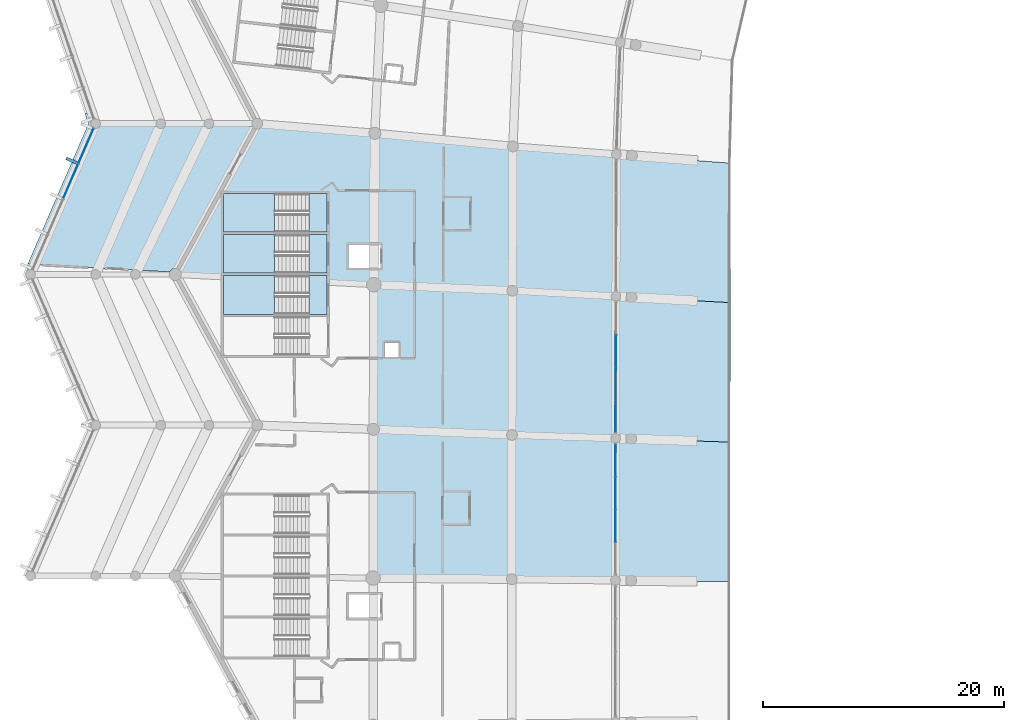
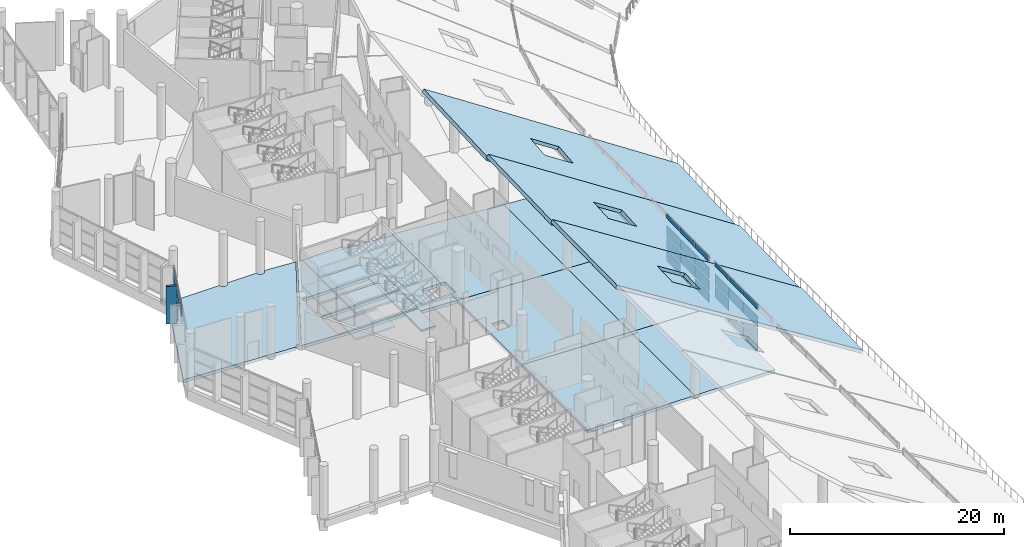
# One storey, part 118 of 249: 29 plates, 23 slabs, 6 elements without a shape of their own.
"""IFC4 building model written with IfcOpenShell, lengths in metres."""

from ifc_helpers import new_model, si_unit, direction, frame, origin, origin_2d, place, context, subcontext, project, spatial, polyline, rectangle, outline, extrude, material, layer, layer_set, type_object, element, aggregate, save


model = new_model("IFC4")

# Units and contexts
model_context = context("Model", 3, precision=1e-05, world=origin(), true_north=direction((0.0, 1.0)))
body_context = subcontext(model_context, "Body", "Model", "MODEL_VIEW")
ifc_project = project(units=[si_unit("LENGTHUNIT", "METRE"), si_unit("AREAUNIT", "SQUARE_METRE"), si_unit("VOLUMEUNIT", "CUBIC_METRE"), si_unit("PLANEANGLEUNIT", "RADIAN"), si_unit("MASSUNIT", "GRAM", prefix="KILO")], contexts=[model_context])

# Site, building, storey
site_placement = place(None, origin())
site = spatial("IfcSite", under=ifc_project, at=site_placement, CompositionType="ELEMENT")
building_placement = place(site_placement, origin())
building = spatial("IfcBuilding", under=site, at=building_placement, Name="Meseta Stadium", CompositionType="ELEMENT")
storey_placement = place(building_placement, frame((0.0, 0.0, 12.0)))
storey = spatial("IfcBuildingStorey", under=building, at=storey_placement, Name="L02", CompositionType="ELEMENT", Elevation=12.0)

# Curtain wall, plates
ifc_material_1 = material(Name="Aluminium", Category="aluminium")
ifc_layer_1 = layer(ifc_material_1, 0.199951171875)
ifc_layer_set_1 = layer_set([ifc_layer_1], Name="Suite glazing curtain wall")
curtain_wall_type_1 = type_object("IfcCurtainWallType", Name="Suite glazing curtain wall", PredefinedType="NOTDEFINED", material=ifc_layer_set_1)
curtain_wall_1_placement = place(storey_placement, origin())
curtain_wall_1 = element("IfcCurtainWall", 1, at=curtain_wall_1_placement, inside=storey, type_object=curtain_wall_type_1, Name="Suite glazing bay 30", PredefinedType="NOTDEFINED")
ifc_material_2 = material(Name="Glass", Category="glass")
ifc_layer_2 = layer(ifc_material_2, 0.035888671875)
ifc_layer_set_2 = layer_set([ifc_layer_2], Name="CW glass panel 36")
plate_type_1 = type_object("IfcPlateType", Name="CW glass panel 36", PredefinedType="CURTAIN_PANEL", material=ifc_layer_set_2)
plate_1_placement = place(storey_placement, frame((-64.873046875, 24.8984375, 0.14990234375), z_axis=(0.0, 0.0, 1.0), x_axis=(-0.001946685349, -0.999998105206, 0.0)))
plate_1 = element("IfcPlate", 2, at=plate_1_placement, type_object=plate_type_1, Name="CWS panel 2.1", PredefinedType="CURTAIN_PANEL", context=body_context, shape_type="SweptSolid", body=[
    extrude(rectangle(XDim=2.6435546875, YDim=0.035888671875, at=origin_2d()), origin(), (0.0, 0.0, 1.0), 1.1875),
])
plate_2_placement = place(storey_placement, frame((-64.873046875, 24.8984375, 1.4873046875), z_axis=(0.0, 0.0, 1.0), x_axis=(-0.001946685349, -0.999998105206, 0.0)))
plate_2 = element("IfcPlate", 3, at=plate_2_placement, type_object=plate_type_1, Name="CWS panel 2.2", PredefinedType="CURTAIN_PANEL", context=body_context, shape_type="SweptSolid", body=[
    extrude(rectangle(XDim=2.6435546875, YDim=0.035888671875, at=origin_2d()), origin(), (0.0, 0.0, 1.0), 1.262451171875),
])
plate_3_placement = place(storey_placement, frame((-64.873046875, 24.8984375, 2.89990234375), z_axis=(0.0, 0.0, 1.0), x_axis=(-0.001946685349, -0.999998105206, 0.0)))
plate_3 = element("IfcPlate", 4, at=plate_3_placement, type_object=plate_type_1, Name="CWS panel 2.3", PredefinedType="CURTAIN_PANEL", context=body_context, shape_type="SweptSolid", body=[
    extrude(rectangle(XDim=2.6435546875, YDim=0.035888671875, at=origin_2d()), origin(), (0.0, 0.0, 1.0), 1.262451171875),
])
plate_4_placement = place(storey_placement, frame((-64.873046875, 24.8984375, 4.3125), z_axis=(0.0, 0.0, 1.0), x_axis=(-0.001946685349, -0.999998105206, 0.0)))
plate_4 = element("IfcPlate", 5, at=plate_4_placement, type_object=plate_type_1, Name="CWS panel 2.4", PredefinedType="CURTAIN_PANEL", context=body_context, shape_type="SweptSolid", body=[
    extrude(rectangle(XDim=2.6435546875, YDim=0.035888671875, at=origin_2d()), origin(), (0.0, 0.0, 1.0), 1.1875),
])
plate_5_placement = place(storey_placement, frame((-64.878173828125, 22.195068359375, 0.14990234375), z_axis=(0.0, 0.0, 1.0), x_axis=(-0.001946685349, -0.999998105206, 0.0)))
plate_5 = element("IfcPlate", 6, at=plate_5_placement, type_object=plate_type_1, Name="CWS panel 3.1", PredefinedType="CURTAIN_PANEL", context=body_context, shape_type="SweptSolid", body=[
    extrude(rectangle(XDim=2.6435546875, YDim=0.035888671875, at=origin_2d()), origin(), (0.0, 0.0, 1.0), 1.1875),
])
plate_6_placement = place(storey_placement, frame((-64.878173828125, 22.195068359375, 1.4873046875), z_axis=(0.0, 0.0, 1.0), x_axis=(-0.001946685349, -0.999998105206, 0.0)))
plate_6 = element("IfcPlate", 7, at=plate_6_placement, type_object=plate_type_1, Name="CWS panel 3.2", PredefinedType="CURTAIN_PANEL", context=body_context, shape_type="SweptSolid", body=[
    extrude(rectangle(XDim=2.6435546875, YDim=0.035888671875, at=origin_2d()), origin(), (0.0, 0.0, 1.0), 1.262451171875),
])
plate_7_placement = place(storey_placement, frame((-64.878173828125, 22.195068359375, 2.89990234375), z_axis=(0.0, 0.0, 1.0), x_axis=(-0.001946685349, -0.999998105206, 0.0)))
plate_7 = element("IfcPlate", 8, at=plate_7_placement, type_object=plate_type_1, Name="CWS panel 3.3", PredefinedType="CURTAIN_PANEL", context=body_context, shape_type="SweptSolid", body=[
    extrude(rectangle(XDim=2.6435546875, YDim=0.035888671875, at=origin_2d()), origin(), (0.0, 0.0, 1.0), 1.262451171875),
])
plate_8_placement = place(storey_placement, frame((-64.878173828125, 22.195068359375, 4.3125), z_axis=(0.0, 0.0, 1.0), x_axis=(-0.001946685349, -0.999998105206, 0.0)))
plate_8 = element("IfcPlate", 9, at=plate_8_placement, type_object=plate_type_1, Name="CWS panel 3.4", PredefinedType="CURTAIN_PANEL", context=body_context, shape_type="SweptSolid", body=[
    extrude(rectangle(XDim=2.6435546875, YDim=0.035888671875, at=origin_2d()), origin(), (0.0, 0.0, 1.0), 1.1875),
])
plate_9_placement = place(storey_placement, frame((-64.883544921875, 19.506591796875, 0.14990234375), z_axis=(0.0, 0.0, 1.0), x_axis=(-0.001946685349, -0.999998105206, 0.0)))
plate_9 = element("IfcPlate", 10, at=plate_9_placement, type_object=plate_type_1, Name="CWS panel 4.1", PredefinedType="CURTAIN_PANEL", context=body_context, shape_type="SweptSolid", body=[
    extrude(rectangle(XDim=2.613525390625, YDim=0.035888671875, at=origin_2d()), origin(), (0.0, 0.0, 1.0), 1.1875),
])
plate_10_placement = place(storey_placement, frame((-64.883544921875, 19.506591796875, 1.4873046875), z_axis=(0.0, 0.0, 1.0), x_axis=(-0.001946685349, -0.999998105206, 0.0)))
plate_10 = element("IfcPlate", 11, at=plate_10_placement, type_object=plate_type_1, Name="CWS panel 4.2", PredefinedType="CURTAIN_PANEL", context=body_context, shape_type="SweptSolid", body=[
    extrude(rectangle(XDim=2.613525390625, YDim=0.035888671875, at=origin_2d()), origin(), (0.0, 0.0, 1.0), 1.262451171875),
])
plate_11_placement = place(storey_placement, frame((-64.883544921875, 19.506591796875, 2.89990234375), z_axis=(0.0, 0.0, 1.0), x_axis=(-0.001946685349, -0.999998105206, 0.0)))
plate_11 = element("IfcPlate", 12, at=plate_11_placement, type_object=plate_type_1, Name="CWS panel 4.3", PredefinedType="CURTAIN_PANEL", context=body_context, shape_type="SweptSolid", body=[
    extrude(rectangle(XDim=2.613525390625, YDim=0.035888671875, at=origin_2d()), origin(), (0.0, 0.0, 1.0), 1.262451171875),
])
plate_12_placement = place(storey_placement, frame((-64.883544921875, 19.506591796875, 4.3125), z_axis=(0.0, 0.0, 1.0), x_axis=(-0.001946685349, -0.999998105206, 0.0)))
plate_12 = element("IfcPlate", 13, at=plate_12_placement, type_object=plate_type_1, Name="CWS panel 4.4", PredefinedType="CURTAIN_PANEL", context=body_context, shape_type="SweptSolid", body=[
    extrude(rectangle(XDim=2.613525390625, YDim=0.035888671875, at=origin_2d()), origin(), (0.0, 0.0, 1.0), 1.1875),
])
aggregate(curtain_wall_1, [plate_1, plate_2, plate_3, plate_4, plate_5, plate_6, plate_7, plate_8, plate_9, plate_10, plate_11, plate_12])

curtain_wall_2_placement = place(storey_placement, origin())
curtain_wall_2 = element("IfcCurtainWall", 14, at=curtain_wall_2_placement, inside=storey, type_object=curtain_wall_type_1, Name="Suite glazing bay 31", PredefinedType="NOTDEFINED")
plate_13_placement = place(storey_placement, frame((-64.888916015625, 15.814697265625, 0.14990234375), z_axis=(0.0, 0.0, 1.0), x_axis=(-0.000975355927, -0.99999952434, 0.0)))
plate_13 = element("IfcPlate", 15, at=plate_13_placement, type_object=plate_type_1, Name="CWS panel 1.1", PredefinedType="CURTAIN_PANEL", context=body_context, shape_type="SweptSolid", body=[
    extrude(rectangle(XDim=2.61376953125, YDim=0.035888671875, at=origin_2d()), origin(), (0.0, 0.0, 1.0), 1.1875),
])
plate_14_placement = place(storey_placement, frame((-64.888916015625, 15.814697265625, 1.4873046875), z_axis=(0.0, 0.0, 1.0), x_axis=(-0.000975355927, -0.99999952434, 0.0)))
plate_14 = element("IfcPlate", 16, at=plate_14_placement, type_object=plate_type_1, Name="CWS panel 1.2", PredefinedType="CURTAIN_PANEL", context=body_context, shape_type="SweptSolid", body=[
    extrude(rectangle(XDim=2.61376953125, YDim=0.035888671875, at=origin_2d()), origin(), (0.0, 0.0, 1.0), 1.262451171875),
])
plate_15_placement = place(storey_placement, frame((-64.888916015625, 15.814697265625, 2.89990234375), z_axis=(0.0, 0.0, 1.0), x_axis=(-0.000975355927, -0.99999952434, 0.0)))
plate_15 = element("IfcPlate", 17, at=plate_15_placement, type_object=plate_type_1, Name="CWS panel 1.3", PredefinedType="CURTAIN_PANEL", context=body_context, shape_type="SweptSolid", body=[
    extrude(rectangle(XDim=2.61376953125, YDim=0.035888671875, at=origin_2d()), origin(), (0.0, 0.0, 1.0), 1.262451171875),
])
plate_16_placement = place(storey_placement, frame((-64.888916015625, 15.814697265625, 4.3125), z_axis=(0.0, 0.0, 1.0), x_axis=(-0.000975355927, -0.99999952434, 0.0)))
plate_16 = element("IfcPlate", 18, at=plate_16_placement, type_object=plate_type_1, Name="CWS panel 1.4", PredefinedType="CURTAIN_PANEL", context=body_context, shape_type="SweptSolid", body=[
    extrude(rectangle(XDim=2.61376953125, YDim=0.035888671875, at=origin_2d()), origin(), (0.0, 0.0, 1.0), 1.1875),
])
plate_17_placement = place(storey_placement, frame((-64.8916015625, 13.125732421875, 0.14990234375), z_axis=(0.0, 0.0, 1.0), x_axis=(-0.000975355927, -0.99999952434, 0.0)))
plate_17 = element("IfcPlate", 19, at=plate_17_placement, type_object=plate_type_1, Name="CWS panel 2.1", PredefinedType="CURTAIN_PANEL", context=body_context, shape_type="SweptSolid", body=[
    extrude(rectangle(XDim=2.643798828125, YDim=0.035888671875, at=origin_2d()), origin(), (0.0, 0.0, 1.0), 1.1875),
])
plate_18_placement = place(storey_placement, frame((-64.8916015625, 13.125732421875, 1.4873046875), z_axis=(0.0, 0.0, 1.0), x_axis=(-0.000975355927, -0.99999952434, 0.0)))
plate_18 = element("IfcPlate", 20, at=plate_18_placement, type_object=plate_type_1, Name="CWS panel 2.2", PredefinedType="CURTAIN_PANEL", context=body_context, shape_type="SweptSolid", body=[
    extrude(rectangle(XDim=2.643798828125, YDim=0.035888671875, at=origin_2d()), origin(), (0.0, 0.0, 1.0), 1.262451171875),
])
plate_19_placement = place(storey_placement, frame((-64.8916015625, 13.125732421875, 2.89990234375), z_axis=(0.0, 0.0, 1.0), x_axis=(-0.000975355927, -0.99999952434, 0.0)))
plate_19 = element("IfcPlate", 21, at=plate_19_placement, type_object=plate_type_1, Name="CWS panel 2.3", PredefinedType="CURTAIN_PANEL", context=body_context, shape_type="SweptSolid", body=[
    extrude(rectangle(XDim=2.643798828125, YDim=0.035888671875, at=origin_2d()), origin(), (0.0, 0.0, 1.0), 1.262451171875),
])
plate_20_placement = place(storey_placement, frame((-64.8916015625, 13.125732421875, 4.3125), z_axis=(0.0, 0.0, 1.0), x_axis=(-0.000975355927, -0.99999952434, 0.0)))
plate_20 = element("IfcPlate", 22, at=plate_20_placement, type_object=plate_type_1, Name="CWS panel 2.4", PredefinedType="CURTAIN_PANEL", context=body_context, shape_type="SweptSolid", body=[
    extrude(rectangle(XDim=2.643798828125, YDim=0.035888671875, at=origin_2d()), origin(), (0.0, 0.0, 1.0), 1.1875),
])
plate_21_placement = place(storey_placement, frame((-64.89404296875, 10.421875, 0.14990234375), z_axis=(0.0, 0.0, 1.0), x_axis=(-0.000975355927, -0.99999952434, 0.0)))
plate_21 = element("IfcPlate", 23, at=plate_21_placement, type_object=plate_type_1, Name="CWS panel 3.1", PredefinedType="CURTAIN_PANEL", context=body_context, shape_type="SweptSolid", body=[
    extrude(rectangle(XDim=2.643798828125, YDim=0.035888671875, at=origin_2d()), origin(), (0.0, 0.0, 1.0), 1.1875),
])
plate_22_placement = place(storey_placement, frame((-64.89404296875, 10.421875, 1.4873046875), z_axis=(0.0, 0.0, 1.0), x_axis=(-0.000975355927, -0.99999952434, 0.0)))
plate_22 = element("IfcPlate", 24, at=plate_22_placement, type_object=plate_type_1, Name="CWS panel 3.2", PredefinedType="CURTAIN_PANEL", context=body_context, shape_type="SweptSolid", body=[
    extrude(rectangle(XDim=2.643798828125, YDim=0.035888671875, at=origin_2d()), origin(), (0.0, 0.0, 1.0), 1.262451171875),
])
plate_23_placement = place(storey_placement, frame((-64.89404296875, 10.421875, 2.89990234375), z_axis=(0.0, 0.0, 1.0), x_axis=(-0.000975355927, -0.99999952434, 0.0)))
plate_23 = element("IfcPlate", 25, at=plate_23_placement, type_object=plate_type_1, Name="CWS panel 3.3", PredefinedType="CURTAIN_PANEL", context=body_context, shape_type="SweptSolid", body=[
    extrude(rectangle(XDim=2.643798828125, YDim=0.035888671875, at=origin_2d()), origin(), (0.0, 0.0, 1.0), 1.262451171875),
])
plate_24_placement = place(storey_placement, frame((-64.89404296875, 10.421875, 4.3125), z_axis=(0.0, 0.0, 1.0), x_axis=(-0.000975355927, -0.99999952434, 0.0)))
plate_24 = element("IfcPlate", 26, at=plate_24_placement, type_object=plate_type_1, Name="CWS panel 3.4", PredefinedType="CURTAIN_PANEL", context=body_context, shape_type="SweptSolid", body=[
    extrude(rectangle(XDim=2.643798828125, YDim=0.035888671875, at=origin_2d()), origin(), (0.0, 0.0, 1.0), 1.1875),
])
aggregate(curtain_wall_2, [plate_13, plate_14, plate_15, plate_16, plate_17, plate_18, plate_19, plate_20, plate_21, plate_22, plate_23, plate_24])

# Slabs
ifc_material_3 = material(Name="Concrete C40/50", Category="concrete")
ifc_layer_3 = layer(ifc_material_3, 0.35009765625)
ifc_layer_set_3 = layer_set([ifc_layer_3], Name="Floor slab 350")
slab_type_1 = type_object("IfcSlabType", Name="Floor slab 350", PredefinedType="FLOOR", material=ifc_layer_set_3)
slab_1_placement = place(storey_placement, frame((0.0, 0.0, -0.35009765625)))
element("IfcSlab", 27, at=slab_1_placement, inside=storey, type_object=slab_type_1, Name="Floor slab L02 sector 28 panel 04", PredefinedType="FLOOR", context=body_context, shape_type="SweptSolid", body=[
    extrude(outline(polyline([(-84.85546875, 42.7412109375), (-94.736328125, 43.49951171875), (-101.301513671875, 31.430908203125), (-96.176025390625, 31.14990234375), (-88.800048828125, 31.14990234375), (-88.800048828125, 30.74560546875), (-84.939697265625, 30.533935546875), (-84.93115234375, 31.800048828125), (-87.0, 31.800048828125), (-87.0, 33.699951171875), (-84.91796875, 33.699951171875), (-84.85546875, 42.7412109375)]), holes=[polyline([(-88.800048828125, 34.550048828125), (-88.800048828125, 31.35009765625), (-97.39990234375, 31.35009765625), (-97.39990234375, 34.550048828125), (-88.800048828125, 34.550048828125)]), polyline([(-88.800048828125, 37.949951171875), (-88.800048828125, 34.75), (-97.39990234375, 34.75), (-97.39990234375, 37.949951171875), (-88.800048828125, 37.949951171875)])]), origin(), (0.0, 0.0, 1.0), 0.35009765625),
])
slab_2_placement = place(storey_placement, frame((0.0, 0.0, -0.35009765625)))
element("IfcSlab", 28, at=slab_2_placement, inside=storey, type_object=slab_type_1, Name="Floor slab L02 sector 28 panel 08", PredefinedType="FLOOR", context=body_context, shape_type="SweptSolid", body=[
    extrude(outline(polyline([(-73.482421875, 17.943603515625), (-84.97314453125, 18.41064453125), (-84.99755859375, 6.107421875), (-73.498046875, 5.981201171875), (-73.482421875, 17.943603515625)])), origin(), (0.0, 0.0, 1.0), 0.35009765625),
])
slab_3_placement = place(storey_placement, frame((0.0, 0.0, -0.35009765625)))
element("IfcSlab", 29, at=slab_3_placement, inside=storey, type_object=slab_type_1, Name="Floor slab L02 sector 28 panel 10", PredefinedType="FLOOR", context=body_context, shape_type="SweptSolid", body=[
    extrude(outline(polyline([(-73.451416015625, 29.904052734375), (-84.939697265625, 30.533935546875), (-84.97314453125, 18.41064453125), (-73.482421875, 17.943603515625), (-73.451416015625, 29.904052734375)]), holes=[polyline([(-82.85009765625, 25.60009765625), (-82.85009765625, 24.39990234375), (-84.050048828125, 24.39990234375), (-84.050048828125, 25.60009765625), (-82.85009765625, 25.60009765625)])]), origin(), (0.0, 0.0, 1.0), 0.35009765625),
])
slab_4_placement = place(storey_placement, frame((0.0, 0.0, -0.35009765625)))
element("IfcSlab", 30, at=slab_4_placement, inside=storey, type_object=slab_type_1, Name="Floor slab L02 sector 28 panel 12", PredefinedType="FLOOR", context=body_context, shape_type="SweptSolid", body=[
    extrude(outline(polyline([(-73.40478515625, 41.8623046875), (-84.85400390625, 42.948486328125), (-84.91796875, 33.699951171875), (-84.39990234375, 33.699951171875), (-84.39990234375, 31.800048828125), (-84.93115234375, 31.800048828125), (-84.939697265625, 30.533935546875), (-73.451416015625, 29.904052734375), (-73.40478515625, 41.8623046875)])), origin(), (0.0, 0.0, 1.0), 0.35009765625),
])
slab_5_placement = place(storey_placement, frame((0.0, 0.0, -0.35009765625)))
element("IfcSlab", 31, at=slab_5_placement, inside=storey, type_object=slab_type_1, Name="Floor slab L02 sector 28 panel 17", PredefinedType="FLOOR", context=body_context, shape_type="SweptSolid", body=[
    extrude(outline(polyline([(-64.894287109375, 11.77392578125), (-64.88720703125, 17.660888671875), (-73.482421875, 17.943603515625), (-73.498046875, 5.981201171875), (-64.898681640625, 5.886962890625), (-64.894287109375, 11.77392578125)])), origin(), (0.0, 0.0, 1.0), 0.35009765625),
])
slab_6_placement = place(storey_placement, frame((0.0, 0.0, -0.35009765625)))
element("IfcSlab", 32, at=slab_6_placement, inside=storey, type_object=slab_type_1, Name="Floor slab L02 sector 28 panel 19", PredefinedType="FLOOR", context=body_context, shape_type="SweptSolid", body=[
    extrude(outline(polyline([(-64.880615234375, 21.585205078125), (-64.8642578125, 29.433349609375), (-73.451416015625, 29.904052734375), (-73.482421875, 17.943603515625), (-64.88720703125, 17.660888671875), (-64.880615234375, 21.585205078125)])), origin(), (0.0, 0.0, 1.0), 0.35009765625),
])
slab_7_placement = place(storey_placement, frame((0.0, 0.0, -0.35009765625)))
element("IfcSlab", 33, at=slab_7_placement, inside=storey, type_object=slab_type_1, Name="Floor slab L02 sector 28 panel 20", PredefinedType="FLOOR", context=body_context, shape_type="SweptSolid", body=[
    extrude(outline(polyline([(-64.85400390625, 33.357177734375), (-64.829833984375, 41.2041015625), (-73.40478515625, 41.8623046875), (-73.451416015625, 29.904052734375), (-64.8642578125, 29.433349609375), (-64.85400390625, 33.357177734375)])), origin(), (0.0, 0.0, 1.0), 0.35009765625),
])
slab_8_placement = place(storey_placement, frame((0.0, 0.0, -0.35009765625)))
element("IfcSlab", 34, at=slab_8_placement, inside=storey, type_object=slab_type_1, Name="Ring floor slab L02 4 part 1 panel 04", PredefinedType="FLOOR", context=body_context, shape_type="SweptSolid", body=[
    extrude(outline(polyline([(-108.3896484375, 43.8544921875), (-108.349365234375, 43.95166015625), (-108.285400390625, 44.035400390625), (-108.20166015625, 44.099365234375), (-108.13037109375, 44.12890625), (-108.271240234375, 44.538330078125), (-108.885986328125, 44.58544921875), (-108.60009765625, 43.75), (-113.6298828125, 32.10693359375), (-104.83984375, 31.625), (-104.804443359375, 31.6396484375), (-104.699951171875, 31.653564453125), (-104.595703125, 31.6396484375), (-104.517333984375, 31.607421875), (-101.853515625, 31.461181640625), (-101.836669921875, 31.502197265625), (-101.756591796875, 31.606689453125), (-101.652099609375, 31.686767578125), (-101.530517578125, 31.737060546875), (-101.39990234375, 31.75439453125), (-101.30322265625, 31.74169921875), (-94.935302734375, 43.44775390625), (-94.989990234375, 43.51904296875), (-98.0, 43.75), (-98.196533203125, 43.75), (-98.210205078125, 43.6455078125), (-98.25048828125, 43.54833984375), (-98.314697265625, 43.464599609375), (-98.398193359375, 43.400634765625), (-98.49560546875, 43.3603515625), (-98.60009765625, 43.346435546875), (-98.704345703125, 43.3603515625), (-98.8017578125, 43.400634765625), (-98.88525390625, 43.464599609375), (-98.949462890625, 43.54833984375), (-98.98974609375, 43.6455078125), (-99.00341796875, 43.75), (-102.196533203125, 43.75), (-102.210205078125, 43.6455078125), (-102.25048828125, 43.54833984375), (-102.314697265625, 43.464599609375), (-102.398193359375, 43.400634765625), (-102.49560546875, 43.3603515625), (-102.60009765625, 43.346435546875), (-102.704345703125, 43.3603515625), (-102.8017578125, 43.400634765625), (-102.88525390625, 43.464599609375), (-102.949462890625, 43.54833984375), (-102.98974609375, 43.6455078125), (-103.00341796875, 43.75), (-107.596435546875, 43.75), (-107.6103515625, 43.6455078125), (-107.650634765625, 43.54833984375), (-107.714599609375, 43.464599609375), (-107.79833984375, 43.400634765625), (-107.8955078125, 43.3603515625), (-108.0, 43.346435546875), (-108.1044921875, 43.3603515625), (-108.20166015625, 43.400634765625), (-108.285400390625, 43.464599609375), (-108.349365234375, 43.54833984375), (-108.3896484375, 43.6455078125), (-108.403564453125, 43.75), (-108.3896484375, 43.8544921875)])), origin(), (0.0, 0.0, 1.0), 0.35009765625),
])

# Curtain wall, plates
ifc_material_4 = material(Name="Aluminium", Category="aluminium")
ifc_layer_4 = layer(ifc_material_4, 0.199951171875)
ifc_layer_set_4 = layer_set([ifc_layer_4], Name="Ring shopfront curtain wall")
curtain_wall_type_2 = type_object("IfcCurtainWallType", Name="Ring shopfront curtain wall", PredefinedType="NOTDEFINED", material=ifc_layer_set_4)
curtain_wall_3_placement = place(storey_placement, origin())
curtain_wall_3 = element("IfcCurtainWall", 35, at=curtain_wall_3_placement, inside=storey, type_object=curtain_wall_type_2, Name="Ring glazing L02 F29", PredefinedType="NOTDEFINED")
ifc_material_5 = material(Name="Glass", Category="glass")
ifc_layer_5 = layer(ifc_material_5, 0.035888671875)
ifc_layer_set_5 = layer_set([ifc_layer_5], Name="Ring CW glass panel 36")
plate_type_2 = type_object("IfcPlateType", Name="Ring CW glass panel 36", PredefinedType="CURTAIN_PANEL", material=ifc_layer_set_5)
plate_25_placement = place(storey_placement, frame((-108.7998046875, 41.8984375, 0.14990234375), z_axis=(0.0, 0.0, 1.0), x_axis=(-0.396580687073, -0.91799986854, 0.0)))
plate_25 = element("IfcPlate", 36, at=plate_25_placement, type_object=plate_type_2, Name="CWR1 panel 1.1", PredefinedType="CURTAIN_PANEL", context=body_context, shape_type="SweptSolid", body=[
    extrude(rectangle(XDim=3.1142578125, YDim=0.035888671875, at=origin_2d()), origin(), (0.0, 0.0, 1.0), 1.208251953125),
])
plate_26_placement = place(storey_placement, frame((-108.7998046875, 41.8984375, 1.50830078125), z_axis=(0.0, 0.0, 1.0), x_axis=(-0.396580687073, -0.91799986854, 0.0)))
plate_26 = element("IfcPlate", 37, at=plate_26_placement, type_object=plate_type_2, Name="CWR1 panel 1.2", PredefinedType="CURTAIN_PANEL", context=body_context, shape_type="SweptSolid", body=[
    extrude(rectangle(XDim=3.1142578125, YDim=0.035888671875, at=origin_2d()), origin(), (0.0, 0.0, 1.0), 1.283447265625),
])
plate_27_placement = place(storey_placement, frame((-108.7998046875, 41.8984375, 2.94189453125), z_axis=(0.0, 0.0, 1.0), x_axis=(-0.396580687073, -0.91799986854, 0.0)))
plate_27 = element("IfcPlate", 38, at=plate_27_placement, type_object=plate_type_2, Name="CWR1 panel 1.3", PredefinedType="CURTAIN_PANEL", context=body_context, shape_type="SweptSolid", body=[
    extrude(rectangle(XDim=3.1142578125, YDim=0.035888671875, at=origin_2d()), origin(), (0.0, 0.0, 1.0), 1.208251953125),
])
plate_28_placement = place(storey_placement, frame((-110.064697265625, 38.970703125, 2.94189453125), z_axis=(0.0, 0.0, 1.0), x_axis=(-0.396580687073, -0.91799986854, 0.0)))
plate_28 = element("IfcPlate", 39, at=plate_28_placement, type_object=plate_type_2, Name="CWR1 panel 2.3", PredefinedType="CURTAIN_PANEL", context=body_context, shape_type="SweptSolid", body=[
    extrude(rectangle(XDim=3.14404296875, YDim=0.035888671875, at=origin_2d()), origin(), (0.0, 0.0, 1.0), 1.208251953125),
])
aggregate(curtain_wall_3, [plate_25, plate_26, plate_27, plate_28])

# Plate
ifc_material_6 = material(Name="Precast concrete C40/50", Category="concrete")
ifc_layer_6 = layer(ifc_material_6, 0.25)
ifc_layer_set_6 = layer_set([ifc_layer_6], Name="Ring brise-soleil fin 250x1000")
plate_type_3 = type_object("IfcPlateType", Name="Ring brise-soleil fin 250x1000", PredefinedType="USERDEFINED", material=ifc_layer_set_6)
plate_29_placement = place(storey_placement, frame((-109.97998046875, 40.67919921875, 0.0), z_axis=(0.0, 0.0, 1.0), x_axis=(-0.396575976693, -0.918001903435, 0.0)))
element("IfcPlate", 40, at=plate_29_placement, inside=storey, type_object=plate_type_3, Name="Brise-soleil fin L02 F29.2", ObjectType="FIN", PredefinedType="USERDEFINED", context=body_context, shape_type="SweptSolid", body=[
    extrude(rectangle(XDim=0.25, YDim=1.0, at=origin_2d()), origin(), (0.0, 0.0, 1.0), 4.300048828125),
])

# Slabs
ifc_material_7 = material(Name="Concrete C40/50", Category="concrete")
ifc_layer_7 = layer(ifc_material_7, 0.35009765625)
ifc_layer_set_7 = layer_set([ifc_layer_7], Name="Seating tier 350")
slab_type_2 = type_object("IfcSlabType", Name="Seating tier 350", PredefinedType="USERDEFINED", material=ifc_layer_set_7)
slab_9_placement = place(storey_placement, frame((-55.35791015625, 40.47705078125, -0.769287109375), z_axis=(0.528858005421, -0.034775888194, 0.847997551708), x_axis=(-0.8455251215, 0.064894407001, 0.529977343716)))
element("IfcSlab", 41, at=slab_9_placement, inside=storey, type_object=slab_type_2, Name="Stand upper tier bay 30", ObjectType="SEATING TIER", PredefinedType="USERDEFINED", context=body_context, shape_type="SweptSolid", body=[
    extrude(outline(polyline([(0.0, 0.0), (31.131555696053333, -1.942890293094024e-16), (30.14859879027044, 12.10798894054096), (-0.9776261369689059, 11.531574825588551), (0.0, 0.0)]), holes=[polyline([(17.09423828125, 4.428466796875), (20.631591796875, 4.46142578125), (20.60400390625, 7.461181640625), (17.066162109375, 7.42822265625), (17.09423828125, 4.428466796875)])]), origin(), (0.0, 0.0, -1.0), 0.35009765625),
])
slab_10_placement = place(storey_placement, frame((-55.37841796875, 28.913330078125, -0.845947265625), z_axis=(0.529490725502, -0.023219606516, 0.847997890022), x_axis=(-0.846740784093, 0.04641812941, 0.529976793657)))
element("IfcSlab", 42, at=slab_10_placement, inside=storey, type_object=slab_type_2, Name="Stand upper tier bay 31", ObjectType="SEATING TIER", PredefinedType="USERDEFINED", context=body_context, shape_type="SweptSolid", body=[
    extrude(outline(polyline([(0.0, 0.0), (31.13156166099889, -1.3877787807814457e-16), (30.437735626768536, 12.126228023018536), (-0.6885351610909363, 11.548545577756357), (0.0, 0.0)]), holes=[polyline([(17.23876953125, 4.437255859375), (20.776123046875, 4.47021484375), (20.74853515625, 7.469970703125), (17.210693359375, 7.43701171875), (17.23876953125, 4.437255859375)])]), origin(), (0.0, 0.0, -1.0), 0.35009765625),
])
slab_11_placement = place(storey_placement, frame((-55.39208984375, 17.348388671875, -0.9228515625), z_axis=(0.529871243907, -0.011637411984, 0.847998252075), x_axis=(-0.847554064803, 0.027879036674, 0.529976288667)))
element("IfcSlab", 43, at=slab_11_placement, inside=storey, type_object=slab_type_2, Name="Stand upper tier bay 32", ObjectType="SEATING TIER", PredefinedType="USERDEFINED", context=body_context, shape_type="SweptSolid", body=[
    extrude(outline(polyline([(0.0, 0.0), (31.131631023240146, 5.551115123125783e-17), (30.728053831490584, 12.138331996977339), (-0.39820597457508733, 11.55960438386405), (0.0, 0.0)]), holes=[polyline([(17.3837890625, 4.443115234375), (20.92138671875, 4.475830078125), (20.893798828125, 7.475830078125), (17.356201171875, 7.443115234375), (17.3837890625, 4.443115234375)])]), origin(), (0.0, 0.0, -1.0), 0.35009765625),
])

# Stair, slabs
ifc_material_8 = material(Name="Concrete C40/50", Category="concrete")
stair_type = type_object("IfcStairType", Name="Exit stair 4 flights 150 mm risers", PredefinedType="HALF_TURN_STAIR", material=ifc_material_8)
stair_1_placement = place(storey_placement, origin())
stair_1 = element("IfcStair", 44, at=stair_1_placement, inside=storey, type_object=stair_type, Name="ST61 L02", PredefinedType="HALF_TURN_STAIR")
ifc_material_9 = material(Name="Concrete C40/50", Category="concrete")
ifc_layer_8 = layer(ifc_material_9, 0.199951171875)
ifc_layer_set_8 = layer_set([ifc_layer_8], Name="Stair landing 200")
slab_type_3 = type_object("IfcSlabType", Name="Stair landing 200", PredefinedType="LANDING", material=ifc_layer_set_8)
slab_12_placement = place(storey_placement, frame((0.0, 0.0, 1.300048828125)))
slab_12 = element("IfcSlab", 45, at=slab_12_placement, type_object=slab_type_3, Name="ST61 L02 landing 1", PredefinedType="LANDING", context=body_context, shape_type="SweptSolid", body=[
    extrude(outline(polyline([(-93.169921875, 37.949951171875), (-97.39990234375, 37.949951171875), (-97.39990234375, 34.75), (-93.169921875, 34.75), (-93.169921875, 37.949951171875)])), origin(), (0.0, 0.0, 1.0), 0.199951171875),
])
slab_13_placement = place(storey_placement, frame((0.0, 0.0, 2.800048828125)))
slab_13 = element("IfcSlab", 46, at=slab_13_placement, type_object=slab_type_3, Name="ST61 L02 landing 2", PredefinedType="LANDING", context=body_context, shape_type="SweptSolid", body=[
    extrude(outline(polyline([(-88.800048828125, 37.949951171875), (-90.31005859375, 37.949951171875), (-90.31005859375, 34.75), (-88.800048828125, 34.75), (-88.800048828125, 37.949951171875)])), origin(), (0.0, 0.0, 1.0), 0.199951171875),
])
slab_14_placement = place(storey_placement, frame((0.0, 0.0, 4.300048828125)))
slab_14 = element("IfcSlab", 47, at=slab_14_placement, type_object=slab_type_3, Name="ST61 L02 landing 3", PredefinedType="LANDING", context=body_context, shape_type="SweptSolid", body=[
    extrude(outline(polyline([(-93.169921875, 37.949951171875), (-97.39990234375, 37.949951171875), (-97.39990234375, 34.75), (-93.169921875, 34.75), (-93.169921875, 37.949951171875)])), origin(), (0.0, 0.0, 1.0), 0.199951171875),
])
slab_15_placement = place(storey_placement, frame((0.0, 0.0, -0.199951171875)))
slab_15 = element("IfcSlab", 48, at=slab_15_placement, type_object=slab_type_3, Name="ST61 L02 landing 4", PredefinedType="LANDING", context=body_context, shape_type="SweptSolid", body=[
    extrude(outline(polyline([(-88.800048828125, 37.949951171875), (-90.31005859375, 37.949951171875), (-90.31005859375, 34.75), (-88.800048828125, 34.75), (-88.800048828125, 37.949951171875)])), origin(), (0.0, 0.0, 1.0), 0.199951171875),
])
aggregate(stair_1, [slab_12, slab_13, slab_14, slab_15])

stair_2_placement = place(storey_placement, origin())
stair_2 = element("IfcStair", 49, at=stair_2_placement, inside=storey, type_object=stair_type, Name="ST62 L02", PredefinedType="HALF_TURN_STAIR")
slab_16_placement = place(storey_placement, frame((0.0, 0.0, 1.300048828125)))
slab_16 = element("IfcSlab", 50, at=slab_16_placement, type_object=slab_type_3, Name="ST62 L02 landing 1", PredefinedType="LANDING", context=body_context, shape_type="SweptSolid", body=[
    extrude(outline(polyline([(-93.169921875, 34.550048828125), (-97.39990234375, 34.550048828125), (-97.39990234375, 31.35009765625), (-93.169921875, 31.35009765625), (-93.169921875, 34.550048828125)])), origin(), (0.0, 0.0, 1.0), 0.199951171875),
])
slab_17_placement = place(storey_placement, frame((0.0, 0.0, 2.800048828125)))
slab_17 = element("IfcSlab", 51, at=slab_17_placement, type_object=slab_type_3, Name="ST62 L02 landing 2", PredefinedType="LANDING", context=body_context, shape_type="SweptSolid", body=[
    extrude(outline(polyline([(-88.800048828125, 34.550048828125), (-90.31005859375, 34.550048828125), (-90.31005859375, 31.35009765625), (-88.800048828125, 31.35009765625), (-88.800048828125, 34.550048828125)])), origin(), (0.0, 0.0, 1.0), 0.199951171875),
])
slab_18_placement = place(storey_placement, frame((0.0, 0.0, 4.300048828125)))
slab_18 = element("IfcSlab", 52, at=slab_18_placement, type_object=slab_type_3, Name="ST62 L02 landing 3", PredefinedType="LANDING", context=body_context, shape_type="SweptSolid", body=[
    extrude(outline(polyline([(-93.169921875, 34.550048828125), (-97.39990234375, 34.550048828125), (-97.39990234375, 31.35009765625), (-93.169921875, 31.35009765625), (-93.169921875, 34.550048828125)])), origin(), (0.0, 0.0, 1.0), 0.199951171875),
])
slab_19_placement = place(storey_placement, frame((0.0, 0.0, -0.199951171875)))
slab_19 = element("IfcSlab", 53, at=slab_19_placement, type_object=slab_type_3, Name="ST62 L02 landing 4", PredefinedType="LANDING", context=body_context, shape_type="SweptSolid", body=[
    extrude(outline(polyline([(-88.800048828125, 34.550048828125), (-90.31005859375, 34.550048828125), (-90.31005859375, 31.35009765625), (-88.800048828125, 31.35009765625), (-88.800048828125, 34.550048828125)])), origin(), (0.0, 0.0, 1.0), 0.199951171875),
])
aggregate(stair_2, [slab_16, slab_17, slab_18, slab_19])

stair_3_placement = place(storey_placement, origin())
stair_3 = element("IfcStair", 54, at=stair_3_placement, inside=storey, type_object=stair_type, Name="ST63 L02", PredefinedType="HALF_TURN_STAIR")
slab_20_placement = place(storey_placement, frame((0.0, 0.0, 1.300048828125)))
slab_20 = element("IfcSlab", 55, at=slab_20_placement, type_object=slab_type_3, Name="ST63 L02 landing 1", PredefinedType="LANDING", context=body_context, shape_type="SweptSolid", body=[
    extrude(outline(polyline([(-93.169921875, 31.14990234375), (-97.39990234375, 31.14990234375), (-97.39990234375, 27.949951171875), (-93.169921875, 27.949951171875), (-93.169921875, 31.14990234375)])), origin(), (0.0, 0.0, 1.0), 0.199951171875),
])
slab_21_placement = place(storey_placement, frame((0.0, 0.0, 2.800048828125)))
slab_21 = element("IfcSlab", 56, at=slab_21_placement, type_object=slab_type_3, Name="ST63 L02 landing 2", PredefinedType="LANDING", context=body_context, shape_type="SweptSolid", body=[
    extrude(outline(polyline([(-88.800048828125, 31.14990234375), (-90.31005859375, 31.14990234375), (-90.31005859375, 27.949951171875), (-88.800048828125, 27.949951171875), (-88.800048828125, 31.14990234375)])), origin(), (0.0, 0.0, 1.0), 0.199951171875),
])
slab_22_placement = place(storey_placement, frame((0.0, 0.0, 4.300048828125)))
slab_22 = element("IfcSlab", 57, at=slab_22_placement, type_object=slab_type_3, Name="ST63 L02 landing 3", PredefinedType="LANDING", context=body_context, shape_type="SweptSolid", body=[
    extrude(outline(polyline([(-93.169921875, 31.14990234375), (-97.39990234375, 31.14990234375), (-97.39990234375, 27.949951171875), (-93.169921875, 27.949951171875), (-93.169921875, 31.14990234375)])), origin(), (0.0, 0.0, 1.0), 0.199951171875),
])
slab_23_placement = place(storey_placement, frame((0.0, 0.0, -0.199951171875)))
slab_23 = element("IfcSlab", 58, at=slab_23_placement, type_object=slab_type_3, Name="ST63 L02 landing 4", PredefinedType="LANDING", context=body_context, shape_type="SweptSolid", body=[
    extrude(outline(polyline([(-88.800048828125, 31.14990234375), (-90.31005859375, 31.14990234375), (-90.31005859375, 27.949951171875), (-88.800048828125, 27.949951171875), (-88.800048828125, 31.14990234375)])), origin(), (0.0, 0.0, 1.0), 0.199951171875),
])
aggregate(stair_3, [slab_20, slab_21, slab_22, slab_23])

save(model, "model.ifc")
